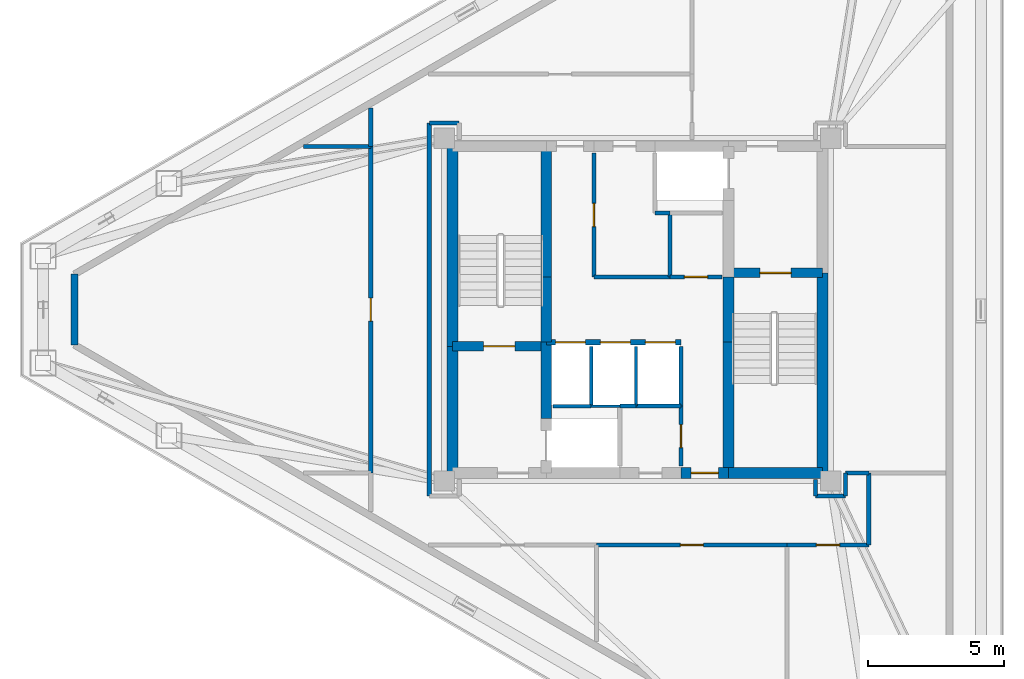
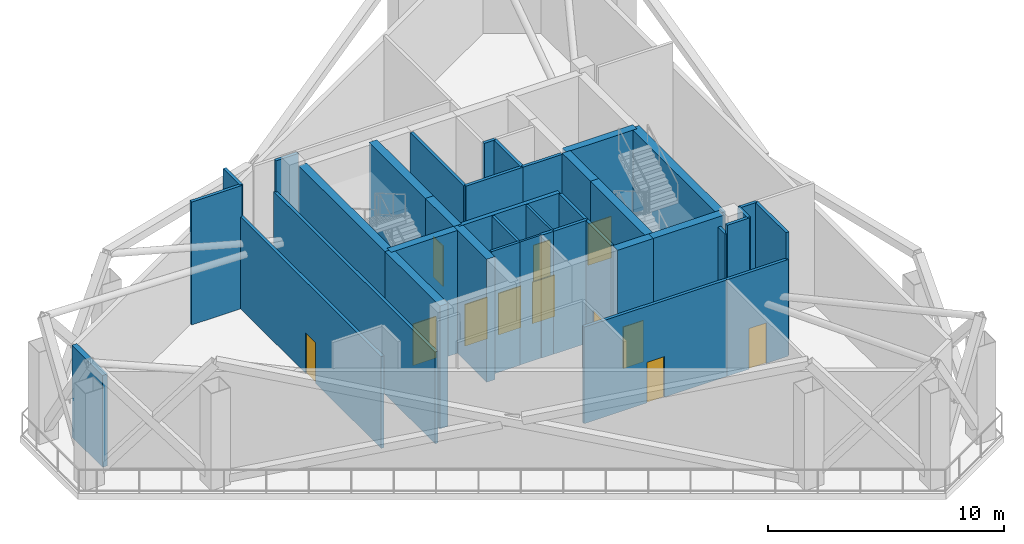
# One storey, part 3 of 6: 39 walls, 12 doors, 12 openings.
"""IFC4 building model written with IfcOpenShell, lengths in metres."""

import ifcopenshell
import ifcopenshell.guid

model = None  # the IFC model being written
_history = None  # IfcOwnerHistory: only IFC2X3 demands one
_inside = {}  # id of a spatial element -> (the spatial element, [elements in it])
_under = {}  # id of a project, library or spatial element -> (it, [spatial elements below it])
_declared = {}  # id of a project -> (the project, [libraries it declares])
_typed = {}  # id of a type object -> (the type object, [elements of that type])
_made_of = {}  # id of a material, layer set ... -> (it, [elements and type objects made of it])


def new_model(schema):
    """Start an empty IFC model of exactly this schema.

    Asked for "IFC4X3", IfcOpenShell would pick the latest addendum, in which some entities
    have other attributes; the version numbers below select the first issue.
    IFC2X3 requires an IfcOwnerHistory on every rooted entity: one is made here for all.
    """
    global model, _history
    if schema == "IFC4X3":
        model = ifcopenshell.file(schema_version=(4, 3, 0, 0))
    else:
        model = ifcopenshell.file(schema=schema)
    _inside.clear()
    _under.clear()
    _declared.clear()
    _typed.clear()
    _made_of.clear()
    _history = None
    if model.schema == "IFC2X3":
        org = make("IfcOrganization", Name="unknown")
        user = make(
            "IfcPersonAndOrganization",
            ThePerson=make("IfcPerson", FamilyName="unknown"),
            TheOrganization=org,
        )
        app = make(
            "IfcApplication",
            ApplicationDeveloper=org,
            Version="unknown",
            ApplicationFullName="unknown",
            ApplicationIdentifier="unknown",
        )
        _history = make(
            "IfcOwnerHistory",
            OwningUser=user,
            OwningApplication=app,
            ChangeAction="ADDED",
            CreationDate=0,
        )
    return model


def make(cls, **values):
    """One entity of the class cls with the attributes given. An attribute that is None is left unset."""
    return model.create_entity(
        cls, **{name: value for name, value in values.items() if value is not None}
    )


def rooted(cls, **values):
    """An entity with a GlobalId (a new one), such as an element, a storey or a relation."""
    return make(cls, GlobalId=ifcopenshell.guid.new(), OwnerHistory=_history, **values)


def si_unit(unit_type, name, prefix=None):
    """IfcSIUnit, for example si_unit("LENGTHUNIT", "METRE", prefix="MILLI")."""
    return make("IfcSIUnit", UnitType=unit_type, Prefix=prefix, Name=name)


def assignment(units):
    """IfcUnitAssignment: the units of a project."""
    return None if units is None else make("IfcUnitAssignment", Units=units)


def point(xyz):
    """IfcCartesianPoint."""
    return None if xyz is None else make("IfcCartesianPoint", Coordinates=xyz)


def direction(xyz):
    """IfcDirection."""
    return None if xyz is None else make("IfcDirection", DirectionRatios=xyz)


def frame(location, z_axis=None, x_axis=None):
    """IfcAxis2Placement3D, a coordinate frame: its origin and axes. An axis left out is left unset."""
    return make(
        "IfcAxis2Placement3D",
        Location=point(location),
        Axis=direction(z_axis),
        RefDirection=direction(x_axis),
    )


def frame_2d(location, x_axis=None):
    """IfcAxis2Placement2D, a coordinate frame in the plane: its origin and x axis."""
    return make(
        "IfcAxis2Placement2D", Location=point(location), RefDirection=direction(x_axis)
    )


def origin():
    """The frame at (0, 0, 0) with its axes left unset."""
    return frame((0.0, 0.0, 0.0))


def place(relative_to, where):
    """IfcLocalPlacement: puts the frame where relative to a parent placement (None: the world)."""
    return make(
        "IfcLocalPlacement", PlacementRelTo=relative_to, RelativePlacement=where
    )


def context(
    kind, dimensions, precision=None, world=None, true_north=None, identifier=None
):
    """IfcGeometricRepresentationContext, for example the 3D "Model" context."""
    return make(
        "IfcGeometricRepresentationContext",
        ContextIdentifier=identifier,
        ContextType=kind,
        CoordinateSpaceDimension=dimensions,
        Precision=precision,
        WorldCoordinateSystem=world,
        TrueNorth=true_north,
    )


def subcontext(parent, identifier, kind, view, scale=None):
    """IfcGeometricRepresentationSubContext, for example "Body" below "Model"."""
    return make(
        "IfcGeometricRepresentationSubContext",
        ContextIdentifier=identifier,
        ContextType=kind,
        ParentContext=parent,
        TargetScale=scale,
        TargetView=view,
    )


def project(units=None, contexts=None):
    """IfcProject with its units and contexts."""
    return rooted(
        "IfcProject",
        Name="project",
        RepresentationContexts=contexts,
        UnitsInContext=assignment(units),
    )


def spatial(cls, under=None, at=None, **own):
    """A site, building, storey or space (cls), placed at a placement, below another one or the project."""
    s = rooted(cls, ObjectPlacement=at, **own)
    if under is not None:
        _under.setdefault(under.id(), (under, []))[1].append(s)
    return s


def profile(cls, at=None, kind="AREA", **sizes):
    """A parametric profile (cls). Its sizes go by their IFC names, for example OverallWidth=200.0."""
    return make(cls, ProfileType=kind, Position=at, **sizes)


def rectangle(**sizes):
    """IfcRectangleProfileDef."""
    return profile("IfcRectangleProfileDef", **sizes)


def extrude(swept, where, along, depth):
    """IfcExtrudedAreaSolid: the profile swept, set in the frame where, extruded along a direction by depth."""
    return make(
        "IfcExtrudedAreaSolid",
        SweptArea=swept,
        Position=where,
        ExtrudedDirection=direction(along),
        Depth=depth,
    )


def shape(context_of_items, identifier, shape_type, items):
    """IfcShapeRepresentation: the items that make up one representation, for example the "Body"."""
    return make(
        "IfcShapeRepresentation",
        ContextOfItems=context_of_items,
        RepresentationIdentifier=identifier,
        RepresentationType=shape_type,
        Items=items,
    )


def material(Name=None, Category=None):
    """IfcMaterial."""
    return make("IfcMaterial", Name=Name, Category=Category)


def layer(
    of_material, thickness, ventilated=None, Name=None, Category=None, Priority=None
):
    """IfcMaterialLayer: one layer of a wall or slab, of a material (None: an air gap)."""
    return make(
        "IfcMaterialLayer",
        Material=of_material,
        LayerThickness=thickness,
        IsVentilated=ventilated,
        Name=Name,
        Category=Category,
        Priority=Priority,
    )


def layer_set(layers, Name=None):
    """IfcMaterialLayerSet."""
    return make("IfcMaterialLayerSet", MaterialLayers=layers, LayerSetName=Name)


def made_of(thing, what):
    """Note that an element or type object is made of a material, layer set ...; save() writes the relation."""
    if what is not None:
        _made_of.setdefault(what.id(), (what, []))[1].append(thing)
    return thing


def type_object(cls, material=None, **own):
    """A type object (cls), such as IfcWallType, which elements share."""
    return made_of(rooted(cls, **own), material)


def element(
    cls,
    number,
    at=None,
    inside=None,
    cuts=None,
    type_object=None,
    material=None,
    context=None,
    identifier="Body",
    shape_type=None,
    held_by="IfcProductDefinitionShape",
    body=None,
    shapes=None,
    **own,
):
    """One element of the class cls, such as IfcWall. Its Tag is "e" and its number.

    at: its placement. inside: the storey or other place that contains it. cuts: it is an
    opening in that element (IfcRelVoidsElement). A single representation is given by context,
    identifier, shape_type and body (its items); several are given by shapes. held_by: the class
    of the entity that holds the representations. save() writes the other relations.
    """
    e = rooted(cls, Tag="e%d" % number, ObjectPlacement=at, **own)
    if body is not None:
        shapes = [shape(context, identifier, shape_type, body)]
    if shapes is not None:
        e.Representation = make(held_by, Representations=shapes)
    if inside is not None:
        _inside.setdefault(inside.id(), (inside, []))[1].append(e)
    if cuts is not None:
        rooted(
            "IfcRelVoidsElement", RelatingBuildingElement=cuts, RelatedOpeningElement=e
        )
    if type_object is not None:
        _typed.setdefault(type_object.id(), (type_object, []))[1].append(e)
    return made_of(e, material)


def fill(opening, filler):
    """IfcRelFillsElement: the door or window that sits in an opening."""
    return rooted(
        "IfcRelFillsElement",
        RelatingOpeningElement=opening,
        RelatedBuildingElement=filler,
    )


def aggregate(whole, parts):
    """IfcRelAggregates: a whole, such as a stair, and the parts it consists of."""
    return rooted("IfcRelAggregates", RelatingObject=whole, RelatedObjects=parts)


def save(model, path):
    """Write the relations noted so far, then the file.

    IfcRelAggregates (storeys below a building ...), IfcRelContainedInSpatialStructure (elements
    in a storey), IfcRelDefinesByType, IfcRelAssociatesMaterial and IfcRelDeclares: one each for
    every whole, place, type object, material and project.
    """
    for whole, parts in _under.values():
        aggregate(whole, parts)
    for where, things in _inside.values():
        rooted(
            "IfcRelContainedInSpatialStructure",
            RelatedElements=things,
            RelatingStructure=where,
        )
    for kind, things in _typed.values():
        rooted("IfcRelDefinesByType", RelatedObjects=things, RelatingType=kind)
    for what, things in _made_of.values():
        rooted("IfcRelAssociatesMaterial", RelatedObjects=things, RelatingMaterial=what)
    for by, libraries in _declared.values():
        rooted("IfcRelDeclares", RelatingContext=by, RelatedDefinitions=libraries)
    model.write(path)


model = new_model("IFC4")

# Units and contexts
model_context = context("Model", 3, precision=1e-05, world=origin(), true_north=direction((0.0, 1.0)))
body_context = subcontext(model_context, "Body", "Model", "MODEL_VIEW")
ifc_project = project(units=[si_unit("LENGTHUNIT", "METRE"), si_unit("AREAUNIT", "SQUARE_METRE"), si_unit("VOLUMEUNIT", "CUBIC_METRE"), si_unit("PLANEANGLEUNIT", "RADIAN"), si_unit("MASSUNIT", "GRAM", prefix="KILO")], contexts=[model_context])

# Site, building, storey
site_placement = place(None, origin())
site = spatial("IfcSite", under=ifc_project, at=site_placement, CompositionType="ELEMENT")
building_placement = place(site_placement, origin())
building = spatial("IfcBuilding", under=site, at=building_placement, Name="Mersakhor Tower and Convention Hall", CompositionType="ELEMENT")
storey_placement = place(building_placement, frame((0.0, 0.0, 160.800048828125)))
storey = spatial("IfcBuildingStorey", under=building, at=storey_placement, Name="L45", CompositionType="ELEMENT", Elevation=160.800048828125)

# Walls
ifc_material_1 = material(Name="Precast concrete C40/50", Category="concrete")
ifc_layer_1 = layer(ifc_material_1, 0.25)
ifc_layer_set_1 = layer_set([ifc_layer_1], Name="Precast concrete C40/50")
wall_type_1 = type_object("IfcWallType", Name="WL-EXT-250", PredefinedType="SOLIDWALL", material=ifc_layer_set_1)
wall_1_placement = place(storey_placement, frame((8.310302734375, 25.45166015625, 0.0), z_axis=(0.0, 0.0, 1.0), x_axis=(0.0, 1.0, 0.0)))
element("IfcWall", 1, at=wall_1_placement, inside=storey, type_object=wall_type_1, Name="L45 Set-Back Refuge and Plant Enclosure Wall 6", PredefinedType="SOLIDWALL", context=body_context, shape_type="SweptSolid", body=[
    extrude(rectangle(XDim=2.5966796875, YDim=0.25, at=frame_2d((1.29833984375, 0.0))), origin(), (0.0, 0.0, 1.0), 4.7548828125),
])
ifc_material_2 = material(Name="Lightweight gypsum partition", Category="other")
ifc_layer_2 = layer(ifc_material_2, 0.10009765625)
ifc_layer_set_2 = layer_set([ifc_layer_2], Name="Lightweight gypsum partition")
wall_type_2 = type_object("IfcWallType", Name="WL-PRT-100", PredefinedType="PARTITIONING", material=ifc_layer_set_2)
wall_2_placement = place(storey_placement, frame((27.300048828125, 23.199951171875, 0.0), z_axis=(0.0, 0.0, 1.0), x_axis=(1.0, 0.0, 0.0)))
element("IfcWall", 2, at=wall_2_placement, inside=storey, type_object=wall_type_2, Name="L45 Interior Partition Wall P-002", PredefinedType="PARTITIONING", context=body_context, shape_type="SweptSolid", body=[
    extrude(rectangle(XDim=1.050048828125, YDim=0.10009765625, at=frame_2d((0.52490234375, 0.0))), origin(), (0.0, 0.0, 1.0), 6.369873046875),
])
wall_3_placement = place(storey_placement, frame((28.949951171875, 25.39990234375, 0.0), z_axis=(0.0, 0.0, 1.0), x_axis=(0.0, -1.0, 0.0)))
element("IfcWall", 3, at=wall_3_placement, inside=storey, type_object=wall_type_2, Name="L45 Interior Partition Wall P-008", PredefinedType="PARTITIONING", context=body_context, shape_type="SweptSolid", body=[
    extrude(rectangle(XDim=2.199951171875, YDim=0.10009765625, at=frame_2d((1.10009765625, 0.0))), origin(), (0.0, 0.0, 1.0), 6.369873046875),
])
ifc_material_3 = material(Name="Gypsum board acoustic partition", Category="other")
ifc_layer_3 = layer(ifc_material_3, 0.125)
ifc_layer_set_3 = layer_set([ifc_layer_3], Name="Gypsum board acoustic partition")
wall_type_3 = type_object("IfcWallType", Name="WL-PRT-125", PredefinedType="PARTITIONING", material=ifc_layer_set_3)
wall_4_placement = place(storey_placement, frame((25.89990234375, 23.199951171875, 0.0), z_axis=(0.0, 0.0, 1.0), x_axis=(1.0, 0.0, 0.0)))
element("IfcWall", 4, at=wall_4_placement, inside=storey, type_object=wall_type_3, Name="L45 Interior Partition Wall P-001", PredefinedType="PARTITIONING", context=body_context, shape_type="SweptSolid", body=[
    extrude(rectangle(XDim=1.400146484375, YDim=0.125, at=frame_2d((0.7001953125, 0.0))), origin(), (0.0, 0.0, 1.0), 6.369873046875),
])
wall_5_placement = place(storey_placement, frame((27.300048828125, 25.39990234375, 0.0), z_axis=(0.0, 0.0, 1.0), x_axis=(0.0, -1.0, 0.0)))
element("IfcWall", 5, at=wall_5_placement, inside=storey, type_object=wall_type_3, Name="L45 Interior Partition Wall P-007", PredefinedType="PARTITIONING", context=body_context, shape_type="SweptSolid", body=[
    extrude(rectangle(XDim=2.199951171875, YDim=0.125, at=frame_2d((1.10009765625, 0.0))), origin(), (0.0, 0.0, 1.0), 6.369873046875),
])
ifc_material_4 = material(Name="Fire-rated gypsum board stud partition", Category="other")
ifc_layer_4 = layer(ifc_material_4, 0.14990234375)
ifc_layer_set_4 = layer_set([ifc_layer_4], Name="Fire-rated gypsum board stud partition")
wall_type_4 = type_object("IfcWallType", Name="WL-PRT-150", PredefinedType="PARTITIONING", material=ifc_layer_set_4)
wall_6_placement = place(storey_placement, frame((30.199951171875, 30.300048828125, 0.0), z_axis=(0.0, 0.0, 1.0), x_axis=(-1.0, 0.0, 0.0)))
element("IfcWall", 6, at=wall_6_placement, inside=storey, type_object=wall_type_4, Name="L45 Interior Partition Wall P-005", PredefinedType="PARTITIONING", context=body_context, shape_type="SweptSolid", body=[
    extrude(rectangle(XDim=0.550048828125, YDim=0.14990234375, at=frame_2d((0.27490234375, 0.0))), origin(), (0.0, 0.0, 1.0), 6.369873046875),
])
wall_7_placement = place(storey_placement, frame((28.949951171875, 23.199951171875, 0.0), z_axis=(0.0, 0.0, 1.0), x_axis=(-1.0, 0.0, 0.0)))
element("IfcWall", 7, at=wall_7_placement, inside=storey, type_object=wall_type_4, Name="L45 Interior Partition Wall P-009", PredefinedType="PARTITIONING", context=body_context, shape_type="SweptSolid", body=[
    extrude(rectangle(XDim=0.599853515625, YDim=0.14990234375, at=frame_2d((0.2998046875, 0.0))), origin(), (0.0, 0.0, 1.0), 6.369873046875),
])
wall_8_placement = place(storey_placement, frame((30.60009765625, 25.39990234375, 0.0), z_axis=(0.0, 0.0, 1.0), x_axis=(0.0, -1.0, 0.0)))
element("IfcWall", 8, at=wall_8_placement, inside=storey, type_object=wall_type_4, Name="L45 Interior Partition Wall P-010", PredefinedType="PARTITIONING", context=body_context, shape_type="SweptSolid", body=[
    extrude(rectangle(XDim=2.199951171875, YDim=0.14990234375, at=frame_2d((1.10009765625, 0.0))), origin(), (0.0, 0.0, 1.0), 6.369873046875),
])
wall_9_placement = place(storey_placement, frame((30.60009765625, 23.199951171875, 0.0), z_axis=(0.0, 0.0, 1.0), x_axis=(-1.0, 0.0, 0.0)))
element("IfcWall", 9, at=wall_9_placement, inside=storey, type_object=wall_type_4, Name="L45 Interior Partition Wall P-011", PredefinedType="PARTITIONING", context=body_context, shape_type="SweptSolid", body=[
    extrude(rectangle(XDim=1.650146484375, YDim=0.14990234375, at=frame_2d((0.8251953125, 0.0))), origin(), (0.0, 0.0, 1.0), 6.369873046875),
])

# Wall, opening, door
wall_10_placement = place(storey_placement, frame((30.60009765625, 21.0, 0.0), z_axis=(0.0, 0.0, 1.0), x_axis=(0.0, 1.0, 0.0)))
wall_10 = element("IfcWall", 10, at=wall_10_placement, inside=storey, type_object=wall_type_4, Name="L45 Interior Partition Wall P-012", PredefinedType="PARTITIONING", context=body_context, shape_type="SweptSolid", body=[
    extrude(rectangle(XDim=2.199951171875, YDim=0.14990234375, at=frame_2d((1.10009765625, 0.0))), origin(), (0.0, 0.0, 1.0), 6.369873046875),
])
opening_1_placement = place(wall_10_placement, frame((0.675048828125, 0.0, 0.0)))
opening_1 = element("IfcOpeningElement", 11, at=opening_1_placement, cuts=wall_10, Name="Opening SVD-01", PredefinedType="OPENING", context=body_context, shape_type="SweptSolid", body=[
    extrude(rectangle(XDim=0.85009765625, YDim=2.10009765625, at=frame_2d((0.425048828125, 1.050048828125))), frame((0.0, 0.0849609375, 0.0), z_axis=(0.0, -1.0, 0.0), x_axis=(1.0, 0.0, 0.0)), (0.0, 0.0, 1.0), 0.169921875),
])
ifc_material_5 = material(Name="Fire-rated hardwood leaf and painted steel frame", Category="steel")
door_type_1 = type_object("IfcDoorType", Name="DR-INT-SVC-085x210", OperationType="NOTDEFINED", PredefinedType="DOOR", material=ifc_material_5)
door_1_placement = place(opening_1_placement, origin())
door_1 = element("IfcDoor", 12, at=door_1_placement, inside=storey, type_object=door_type_1, Name="L45 Central Passenger Lift Lobby to Core Electrical Distribution Plant Room Door", OperationType="SINGLE_SWING_LEFT", OverallHeight=2.10009765625, OverallWidth=0.85009765625, PredefinedType="DOOR", context=body_context, shape_type="SweptSolid", body=[
    extrude(rectangle(XDim=0.85009765625, YDim=2.10009765625, at=frame_2d((0.425048828125, 1.050048828125))), frame((0.0, 0.02490234375, 0.0), z_axis=(0.0, -1.0, 0.0), x_axis=(1.0, 0.0, 0.0)), (0.0, 0.0, 1.0), 0.050048828125),
])
fill(opening_1, door_1)

wall_11_placement = place(storey_placement, frame((27.39990234375, 32.5, 0.0), z_axis=(0.0, 0.0, 1.0), x_axis=(0.0, -1.0, 0.0)))
wall_11 = element("IfcWall", 13, at=wall_11_placement, inside=storey, type_object=wall_type_4, Name="L45 Interior Partition Wall P-013", PredefinedType="PARTITIONING", context=body_context, shape_type="SweptSolid", body=[
    extrude(rectangle(XDim=4.550048828125, YDim=0.14990234375, at=frame_2d((2.27490234375, 0.0))), origin(), (0.0, 0.0, 1.0), 6.369873046875),
])
opening_2_placement = place(wall_11_placement, frame((1.85009765625, 0.0, 0.0)))
opening_2 = element("IfcOpeningElement", 14, at=opening_2_placement, cuts=wall_11, Name="Opening SVD-01", PredefinedType="OPENING", context=body_context, shape_type="SweptSolid", body=[
    extrude(rectangle(XDim=0.85009765625, YDim=2.10009765625, at=frame_2d((0.425048828125, 1.050048828125))), frame((0.0, 0.0849609375, 0.0), z_axis=(0.0, -1.0, 0.0), x_axis=(1.0, 0.0, 0.0)), (0.0, 0.0, 1.0), 0.169921875),
])
door_2_placement = place(opening_2_placement, origin())
door_2 = element("IfcDoor", 15, at=door_2_placement, inside=storey, type_object=door_type_1, Name="L45 Central Passenger Lift Lobby to Core Pressurisation Fan Plant Room Door", OperationType="SINGLE_SWING_LEFT", OverallHeight=2.10009765625, OverallWidth=0.85009765625, PredefinedType="DOOR", context=body_context, shape_type="SweptSolid", body=[
    extrude(rectangle(XDim=0.85009765625, YDim=2.10009765625, at=frame_2d((0.425048828125, 1.050048828125))), frame((0.0, 0.02490234375, 0.0), z_axis=(0.0, -1.0, 0.0), x_axis=(1.0, 0.0, 0.0)), (0.0, 0.0, 1.0), 0.050048828125),
])
fill(opening_2, door_2)

# Wall
wall_12_placement = place(storey_placement, frame((27.39990234375, 27.949951171875, 0.0), z_axis=(0.0, 0.0, 1.0), x_axis=(1.0, 0.0, 0.0)))
element("IfcWall", 16, at=wall_12_placement, inside=storey, type_object=wall_type_4, Name="L45 Interior Partition Wall P-014", PredefinedType="PARTITIONING", context=body_context, shape_type="SweptSolid", body=[
    extrude(rectangle(XDim=2.800048828125, YDim=0.14990234375, at=frame_2d((1.39990234375, 0.0))), origin(), (0.0, 0.0, 1.0), 6.369873046875),
])

# Wall, opening, door
wall_13_placement = place(storey_placement, frame((30.199951171875, 27.949951171875, 0.0), z_axis=(0.0, 0.0, 1.0), x_axis=(1.0, 0.0, 0.0)))
wall_13 = element("IfcWall", 17, at=wall_13_placement, inside=storey, type_object=wall_type_4, Name="L45 Interior Partition Wall P-015", PredefinedType="PARTITIONING", context=body_context, shape_type="SweptSolid", body=[
    extrude(rectangle(XDim=1.900146484375, YDim=0.14990234375, at=frame_2d((0.9501953125, 0.0))), origin(), (0.0, 0.0, 1.0), 6.369873046875),
])
opening_3_placement = place(wall_13_placement, frame((0.52490234375, 0.0, 0.0)))
opening_3 = element("IfcOpeningElement", 18, at=opening_3_placement, cuts=wall_13, Name="Opening SVD-01", PredefinedType="OPENING", context=body_context, shape_type="SweptSolid", body=[
    extrude(rectangle(XDim=0.85009765625, YDim=2.10009765625, at=frame_2d((0.425048828125, 1.050048828125))), frame((0.0, 0.0849609375, 0.0), z_axis=(0.0, -1.0, 0.0), x_axis=(1.0, 0.0, 0.0)), (0.0, 0.0, 1.0), 0.169921875),
])
door_3_placement = place(opening_3_placement, origin())
door_3 = element("IfcDoor", 19, at=door_3_placement, inside=storey, type_object=door_type_1, Name="L45 Central Passenger Lift Lobby to Core Fire Alarm and BMS Plant Room Door", OperationType="SINGLE_SWING_RIGHT", OverallHeight=2.10009765625, OverallWidth=0.85009765625, PredefinedType="DOOR", context=body_context, shape_type="SweptSolid", body=[
    extrude(rectangle(XDim=0.85009765625, YDim=2.10009765625, at=frame_2d((0.425048828125, 1.050048828125))), frame((0.0, 0.02490234375, 0.0), z_axis=(0.0, -1.0, 0.0), x_axis=(1.0, 0.0, 0.0)), (0.0, 0.0, 1.0), 0.050048828125),
])
fill(opening_3, door_3)

# Walls
wall_14_placement = place(storey_placement, frame((22.449951171875, 33.60009765625, 0.0), z_axis=(0.0, 0.0, 1.0), x_axis=(-1.0, 0.0, 0.0)))
element("IfcWall", 20, at=wall_14_placement, inside=storey, type_object=wall_type_4, Name="L45 Interior Partition Wall P-019", PredefinedType="PARTITIONING", context=body_context, shape_type="SweptSolid", body=[
    extrude(rectangle(XDim=1.099853515625, YDim=0.14990234375, at=frame_2d((0.5498046875, 0.0))), origin(), (0.0, 0.0, 1.0), 6.369873046875),
])
wall_15_placement = place(storey_placement, frame((21.35009765625, 33.60009765625, 0.0), z_axis=(0.0, 0.0, 1.0), x_axis=(0.0, -1.0, 0.0)))
element("IfcWall", 21, at=wall_15_placement, inside=storey, type_object=wall_type_4, Name="L45 Interior Partition Wall P-020", PredefinedType="PARTITIONING", context=body_context, shape_type="SweptSolid", body=[
    extrude(rectangle(XDim=13.7001953125, YDim=0.14990234375, at=frame_2d((6.85009765625, 0.0))), origin(), (0.0, 0.0, 1.0), 4.7548828125),
])
wall_16_placement = place(storey_placement, frame((35.550048828125, 20.5, 0.0), z_axis=(0.0, 0.0, 1.0), x_axis=(0.0, -1.0, 0.0)))
element("IfcWall", 22, at=wall_16_placement, inside=storey, type_object=wall_type_4, Name="L45 Interior Partition Wall P-023", PredefinedType="PARTITIONING", context=body_context, shape_type="SweptSolid", body=[
    extrude(rectangle(XDim=0.60009765625, YDim=0.14990234375, at=frame_2d((0.300048828125, 0.0))), origin(), (0.0, 0.0, 1.0), 5.89501953125),
])
wall_17_placement = place(storey_placement, frame((35.550048828125, 19.89990234375, 0.0), z_axis=(0.0, 0.0, 1.0), x_axis=(1.0, 0.0, 0.0)))
element("IfcWall", 23, at=wall_17_placement, inside=storey, type_object=wall_type_4, Name="L45 Interior Partition Wall P-024", PredefinedType="PARTITIONING", context=body_context, shape_type="SweptSolid", body=[
    extrude(rectangle(XDim=1.099853515625, YDim=0.14990234375, at=frame_2d((0.5498046875, 0.0))), origin(), (0.0, 0.0, 1.0), 6.369873046875),
])
for number, where, z_axis, x_axis, name in (
    (24, (36.64990234375, 19.89990234375, 0.0), (0.0, 0.0, 1.0), (0.0, 1.0, 0.0), "L45 Interior Partition Wall P-025"),
    (25, (36.64990234375, 20.75, 0.0), (0.0, 0.0, 1.0), (1.0, 0.0, 0.0), "L45 Interior Partition Wall P-026"),
):
    element("IfcWall", number, at=place(storey_placement, frame(where, z_axis=z_axis, x_axis=x_axis)), inside=storey, type_object=wall_type_4, Name=name, PredefinedType="PARTITIONING", context=body_context, shape_type="SweptSolid", body=[
        extrude(rectangle(XDim=0.85009765625, YDim=0.14990234375, at=frame_2d((0.425048828125, 0.0))), origin(), (0.0, 0.0, 1.0), 6.369873046875),
    ])
wall_18_placement = place(storey_placement, frame((37.5, 20.75, 0.0), z_axis=(0.0, 0.0, 1.0), x_axis=(0.0, -1.0, 0.0)))
element("IfcWall", 26, at=wall_18_placement, inside=storey, type_object=wall_type_4, Name="L45 Interior Partition Wall P-027", PredefinedType="PARTITIONING", context=body_context, shape_type="SweptSolid", body=[
    extrude(rectangle(XDim=2.64990234375, YDim=0.14990234375, at=frame_2d((1.324951171875, 0.0))), origin(), (0.0, 0.0, 1.0), 6.369873046875),
])

# Wall, opening, door
wall_19_placement = place(storey_placement, frame((37.5, 18.10009765625, 0.0), z_axis=(0.0, 0.0, 1.0), x_axis=(-1.0, 0.0, 0.0)))
wall_19 = element("IfcWall", 27, at=wall_19_placement, inside=storey, type_object=wall_type_4, Name="L45 Interior Partition Wall P-028", PredefinedType="PARTITIONING", context=body_context, shape_type="SweptSolid", body=[
    extrude(rectangle(XDim=3.0, YDim=0.14990234375, at=frame_2d((1.5, 0.0))), origin(), (0.0, 0.0, 1.0), 5.0048828125),
])
opening_4_placement = place(wall_19_placement, frame((1.074951171875, 0.0, 0.0)))
opening_4 = element("IfcOpeningElement", 28, at=opening_4_placement, cuts=wall_19, Name="Opening SVD-01", PredefinedType="OPENING", context=body_context, shape_type="SweptSolid", body=[
    extrude(rectangle(XDim=0.85009765625, YDim=2.10009765625, at=frame_2d((0.425048828125, 1.050048828125))), frame((0.0, 0.0849609375, 0.0), z_axis=(0.0, -1.0, 0.0), x_axis=(1.0, 0.0, 0.0)), (0.0, 0.0, 1.0), 0.169921875),
])
door_4_placement = place(opening_4_placement, origin())
door_4 = element("IfcDoor", 29, at=door_4_placement, inside=storey, type_object=door_type_1, Name="L45 L45 Mechanical Plant and Refuge Corridor to Domestic and Fire Booster Pump Plant Room Door", OperationType="SINGLE_SWING_LEFT", OverallHeight=2.10009765625, OverallWidth=0.85009765625, PredefinedType="DOOR", context=body_context, shape_type="SweptSolid", body=[
    extrude(rectangle(XDim=0.85009765625, YDim=2.10009765625, at=frame_2d((0.425048828125, 1.050048828125))), frame((0.0, 0.02490234375, 0.0), z_axis=(0.0, -1.0, 0.0), x_axis=(1.0, 0.0, 0.0)), (0.0, 0.0, 1.0), 0.050048828125),
])
fill(opening_4, door_4)

wall_20_placement = place(storey_placement, frame((34.5, 18.10009765625, 0.0), z_axis=(0.0, 0.0, 1.0), x_axis=(-1.0, 0.0, 0.0)))
wall_20 = element("IfcWall", 30, at=wall_20_placement, inside=storey, type_object=wall_type_4, Name="L45 Interior Partition Wall P-029", PredefinedType="PARTITIONING", context=body_context, shape_type="SweptSolid", body=[
    extrude(rectangle(XDim=7.0, YDim=0.14990234375, at=frame_2d((3.5, 0.0))), origin(), (0.0, 0.0, 1.0), 5.0048828125),
])
opening_5_placement = place(wall_20_placement, frame((3.074951171875, 0.0, 0.0)))
opening_5 = element("IfcOpeningElement", 31, at=opening_5_placement, cuts=wall_20, Name="Opening SVD-01", PredefinedType="OPENING", context=body_context, shape_type="SweptSolid", body=[
    extrude(rectangle(XDim=0.85009765625, YDim=2.10009765625, at=frame_2d((0.425048828125, 1.050048828125))), frame((0.0, 0.0849609375, 0.0), z_axis=(0.0, -1.0, 0.0), x_axis=(1.0, 0.0, 0.0)), (0.0, 0.0, 1.0), 0.169921875),
])
door_5_placement = place(opening_5_placement, origin())
door_5 = element("IfcDoor", 32, at=door_5_placement, inside=storey, type_object=door_type_1, Name="L45 L45 Mechanical Plant and Refuge Corridor to Smoke Extract Fan Plant Room Door", OperationType="SINGLE_SWING_RIGHT", OverallHeight=2.10009765625, OverallWidth=0.85009765625, PredefinedType="DOOR", context=body_context, shape_type="SweptSolid", body=[
    extrude(rectangle(XDim=0.85009765625, YDim=2.10009765625, at=frame_2d((0.425048828125, 1.050048828125))), frame((0.0, 0.02490234375, 0.0), z_axis=(0.0, -1.0, 0.0), x_axis=(1.0, 0.0, 0.0)), (0.0, 0.0, 1.0), 0.050048828125),
])
fill(opening_5, door_5)

wall_21_placement = place(storey_placement, frame((19.199951171875, 20.75, 0.0), z_axis=(0.0, 0.0, 1.0), x_axis=(0.0, 1.0, 0.0)))
wall_21 = element("IfcWall", 33, at=wall_21_placement, inside=storey, type_object=wall_type_4, Name="L45 Interior Partition Wall P-032", PredefinedType="PARTITIONING", context=body_context, shape_type="SweptSolid", body=[
    extrude(rectangle(XDim=12.0, YDim=0.14990234375, at=frame_2d((6.0, 0.0))), origin(), (0.0, 0.0, 1.0), 4.7548828125),
])
opening_6_placement = place(wall_21_placement, frame((5.574951171875, 0.0, 0.0)))
opening_6 = element("IfcOpeningElement", 34, at=opening_6_placement, cuts=wall_21, Name="Opening SVD-01", PredefinedType="OPENING", context=body_context, shape_type="SweptSolid", body=[
    extrude(rectangle(XDim=0.85009765625, YDim=2.10009765625, at=frame_2d((0.425048828125, 1.050048828125))), frame((0.0, 0.0849609375, 0.0), z_axis=(0.0, -1.0, 0.0), x_axis=(1.0, 0.0, 0.0)), (0.0, 0.0, 1.0), 0.169921875),
])
door_6_placement = place(opening_6_placement, origin())
door_6 = element("IfcDoor", 35, at=door_6_placement, inside=storey, type_object=door_type_1, Name="L45 L45 Mechanical Plant and Refuge Corridor to Chilled Water Heat Exchanger Plant Room Door", OperationType="SINGLE_SWING_RIGHT", OverallHeight=2.10009765625, OverallWidth=0.85009765625, PredefinedType="DOOR", context=body_context, shape_type="SweptSolid", body=[
    extrude(rectangle(XDim=0.85009765625, YDim=2.10009765625, at=frame_2d((0.425048828125, 1.050048828125))), frame((0.0, 0.02490234375, 0.0), z_axis=(0.0, -1.0, 0.0), x_axis=(1.0, 0.0, 0.0)), (0.0, 0.0, 1.0), 0.050048828125),
])
fill(opening_6, door_6)

# Walls
wall_22_placement = place(storey_placement, frame((19.199951171875, 32.75, 0.0), z_axis=(0.0, 0.0, 1.0), x_axis=(0.0, 1.0, 0.0)))
element("IfcWall", 36, at=wall_22_placement, inside=storey, type_object=wall_type_4, Name="L45 Interior Partition Wall P-033", PredefinedType="PARTITIONING", context=body_context, shape_type="SweptSolid", body=[
    extrude(rectangle(XDim=1.413330078125, YDim=0.14990234375, at=frame_2d((0.70654296875, 0.0))), origin(), (0.0, 0.0, 1.0), 6.369873046875),
])
wall_23_placement = place(storey_placement, frame((30.199951171875, 30.300048828125, 0.0), z_axis=(0.0, 0.0, 1.0), x_axis=(0.0, -1.0, 0.0)))
element("IfcWall", 37, at=wall_23_placement, inside=storey, type_object=wall_type_4, Name="L45 Interior Partition Wall P-034", PredefinedType="PARTITIONING", context=body_context, shape_type="SweptSolid", body=[
    extrude(rectangle(XDim=2.35009765625, YDim=0.14990234375, at=frame_2d((1.175048828125, 0.0))), origin(), (0.0, 0.0, 1.0), 6.369873046875),
])
wall_24_placement = place(storey_placement, frame((16.724853515625, 32.75, 0.0), z_axis=(0.0, 0.0, 1.0), x_axis=(1.0, 0.0, 0.0)))
element("IfcWall", 38, at=wall_24_placement, inside=storey, type_object=wall_type_4, Name="L45 Interior Partition Wall P-040", PredefinedType="PARTITIONING", context=body_context, shape_type="SweptSolid", body=[
    extrude(rectangle(XDim=2.47509765625, YDim=0.14990234375, at=frame_2d((1.237548828125, 0.0))), origin(), (0.0, 0.0, 1.0), 6.369873046875),
])

# Wall, openings, doors
ifc_material_6 = material(Name="Acoustic concrete blockwork and gypsum board", Category="masonry")
ifc_layer_5 = layer(ifc_material_6, 0.199951171875)
ifc_layer_set_5 = layer_set([ifc_layer_5], Name="Acoustic concrete blockwork and gypsum board")
wall_type_5 = type_object("IfcWallType", Name="WL-PRT-200", PredefinedType="PARTITIONING", material=ifc_layer_set_5)
wall_25_placement = place(storey_placement, frame((25.64990234375, 25.550048828125, 0.0), z_axis=(0.0, 0.0, 1.0), x_axis=(1.0, 0.0, 0.0)))
wall_25 = element("IfcWall", 39, at=wall_25_placement, inside=storey, type_object=wall_type_5, Name="L45 High-Rise Lift Bank Front Wall", PredefinedType="PARTITIONING", context=body_context, shape_type="SweptSolid", body=[
    extrude(rectangle(XDim=4.9501953125, YDim=0.199951171875, at=frame_2d((2.47509765625, 0.0))), origin(), (0.0, 0.0, 1.0), 6.369873046875),
])
opening_7_placement = place(wall_25_placement, frame((0.340087890625, 0.0, 0.0)))
opening_7 = element("IfcOpeningElement", 40, at=opening_7_placement, cuts=wall_25, Name="Opening LD-P4", PredefinedType="OPENING", context=body_context, shape_type="SweptSolid", body=[
    extrude(rectangle(XDim=1.10009765625, YDim=2.14990234375, at=frame_2d((0.550048828125, 1.074951171875))), frame((0.0, 0.10986328125, 0.0), z_axis=(0.0, -1.0, 0.0), x_axis=(1.0, 0.0, 0.0)), (0.0, 0.0, 1.0), 0.219970703125),
])
opening_8_placement = place(wall_25_placement, frame((1.989990234375, 0.0, 0.0)))
opening_8 = element("IfcOpeningElement", 41, at=opening_8_placement, cuts=wall_25, Name="Opening LD-P5", PredefinedType="OPENING", context=body_context, shape_type="SweptSolid", body=[
    extrude(rectangle(XDim=1.10009765625, YDim=2.14990234375, at=frame_2d((0.550048828125, 1.074951171875))), frame((0.0, 0.10986328125, 0.0), z_axis=(0.0, -1.0, 0.0), x_axis=(1.0, 0.0, 0.0)), (0.0, 0.0, 1.0), 0.219970703125),
])
opening_9_placement = place(wall_25_placement, frame((3.639892578125, 0.0, 0.0)))
opening_9 = element("IfcOpeningElement", 42, at=opening_9_placement, cuts=wall_25, Name="Opening LD-P6", PredefinedType="OPENING", context=body_context, shape_type="SweptSolid", body=[
    extrude(rectangle(XDim=1.10009765625, YDim=2.14990234375, at=frame_2d((0.550048828125, 1.074951171875))), frame((0.0, 0.10986328125, 0.0), z_axis=(0.0, -1.0, 0.0), x_axis=(1.0, 0.0, 0.0)), (0.0, 0.0, 1.0), 0.219970703125),
])
ifc_material_7 = material(Name="Fire-rated brushed stainless steel sliding landing door", Category="steel")
door_type_2 = type_object("IfcDoorType", Name="DR-LIFT-SLD-110x215", OperationType="NOTDEFINED", PredefinedType="DOOR", material=ifc_material_7)
door_7_placement = place(opening_7_placement, origin())
door_7 = element("IfcDoor", 43, at=door_7_placement, inside=storey, type_object=door_type_2, Name="L45 Lift Landing Door LD-P4", OperationType="SLIDING_TO_LEFT", OverallHeight=2.14990234375, OverallWidth=1.10009765625, PredefinedType="DOOR", context=body_context, shape_type="SweptSolid", body=[
    extrude(rectangle(XDim=1.10009765625, YDim=2.14990234375, at=frame_2d((0.550048828125, 1.074951171875))), frame((0.0, 0.02490234375, 0.0), z_axis=(0.0, -1.0, 0.0), x_axis=(1.0, 0.0, 0.0)), (0.0, 0.0, 1.0), 0.050048828125),
])
fill(opening_7, door_7)
door_8_placement = place(opening_8_placement, origin())
door_8 = element("IfcDoor", 44, at=door_8_placement, inside=storey, type_object=door_type_2, Name="L45 Lift Landing Door LD-P5", OperationType="SLIDING_TO_LEFT", OverallHeight=2.14990234375, OverallWidth=1.10009765625, PredefinedType="DOOR", context=body_context, shape_type="SweptSolid", body=[
    extrude(rectangle(XDim=1.10009765625, YDim=2.14990234375, at=frame_2d((0.550048828125, 1.074951171875))), frame((0.0, 0.02490234375, 0.0), z_axis=(0.0, -1.0, 0.0), x_axis=(1.0, 0.0, 0.0)), (0.0, 0.0, 1.0), 0.050048828125),
])
fill(opening_8, door_8)
door_9_placement = place(opening_9_placement, origin())
door_9 = element("IfcDoor", 45, at=door_9_placement, inside=storey, type_object=door_type_2, Name="L45 Lift Landing Door LD-P6", OperationType="SLIDING_TO_LEFT", OverallHeight=2.14990234375, OverallWidth=1.10009765625, PredefinedType="DOOR", context=body_context, shape_type="SweptSolid", body=[
    extrude(rectangle(XDim=1.10009765625, YDim=2.14990234375, at=frame_2d((0.550048828125, 1.074951171875))), frame((0.0, 0.02490234375, 0.0), z_axis=(0.0, -1.0, 0.0), x_axis=(1.0, 0.0, 0.0)), (0.0, 0.0, 1.0), 0.050048828125),
])
fill(opening_9, door_9)

# Wall, opening, door
ifc_material_8 = material(Name="Concrete C50/60", Category="concrete")
ifc_layer_6 = layer(ifc_material_8, 0.35009765625)
ifc_layer_set_6 = layer_set([ifc_layer_6], Name="Concrete C50/60")
wall_type_6 = type_object("IfcWallType", Name="WL-SHR-350", PredefinedType="SHEAR", material=ifc_layer_set_6)
wall_26_placement = place(storey_placement, frame((22.199951171875, 25.39990234375, 0.0), z_axis=(0.0, 0.0, 1.0), x_axis=(1.0, 0.0, 0.0)))
wall_26 = element("IfcWall", 46, at=wall_26_placement, inside=storey, type_object=wall_type_6, Name="L45 Core Wall CS-ST1-S", PredefinedType="SHEAR", context=body_context, shape_type="SweptSolid", body=[
    extrude(rectangle(XDim=3.449951171875, YDim=0.35009765625, at=frame_2d((1.72509765625, 0.0))), origin(), (0.0, 0.0, 1.0), 6.369873046875),
])
opening_10_placement = place(wall_26_placement, frame((1.14990234375, 0.0, 0.0)))
opening_10 = element("IfcOpeningElement", 47, at=opening_10_placement, cuts=wall_26, Name="Opening SD-01", PredefinedType="OPENING", context=body_context, shape_type="SweptSolid", body=[
    extrude(rectangle(XDim=1.14990234375, YDim=2.14990234375, at=frame_2d((0.574951171875, 1.074951171875))), frame((0.0, 0.18505859375, 0.0), z_axis=(0.0, -1.0, 0.0), x_axis=(1.0, 0.0, 0.0)), (0.0, 0.0, 1.0), 0.3701171875),
])
ifc_material_9 = material(Name="Fire-rated hardwood leaf and painted steel frame", Category="steel")
door_type_3 = type_object("IfcDoorType", Name="DR-INT-STAIR-115x215", OperationType="NOTDEFINED", PredefinedType="DOOR", material=ifc_material_9)
door_10_placement = place(opening_10_placement, origin())
door_10 = element("IfcDoor", 48, at=door_10_placement, inside=storey, type_object=door_type_3, Name="L45 Exit Stair ST-1 Enclosure Door", OperationType="SINGLE_SWING_LEFT", OverallHeight=2.14990234375, OverallWidth=1.14990234375, PredefinedType="DOOR", context=body_context, shape_type="SweptSolid", body=[
    extrude(rectangle(XDim=1.14990234375, YDim=2.14990234375, at=frame_2d((0.574951171875, 1.074951171875))), frame((0.0, 0.02490234375, 0.0), z_axis=(0.0, -1.0, 0.0), x_axis=(1.0, 0.0, 0.0)), (0.0, 0.0, 1.0), 0.050048828125),
])
fill(opening_10, door_10)

wall_27_placement = place(storey_placement, frame((32.35009765625, 28.10009765625, 0.0), z_axis=(0.0, 0.0, 1.0), x_axis=(1.0, 0.0, 0.0)))
wall_27 = element("IfcWall", 49, at=wall_27_placement, inside=storey, type_object=wall_type_6, Name="L45 Core Wall CS-ST2-N", PredefinedType="SHEAR", context=body_context, shape_type="SweptSolid", body=[
    extrude(rectangle(XDim=3.449951171875, YDim=0.35009765625, at=frame_2d((1.72509765625, 0.0))), origin(), (0.0, 0.0, 1.0), 6.369873046875),
])
opening_11_placement = place(wall_27_placement, frame((1.14990234375, 0.0, 0.0)))
opening_11 = element("IfcOpeningElement", 50, at=opening_11_placement, cuts=wall_27, Name="Opening SD-01", PredefinedType="OPENING", context=body_context, shape_type="SweptSolid", body=[
    extrude(rectangle(XDim=1.14990234375, YDim=2.14990234375, at=frame_2d((0.574951171875, 1.074951171875))), frame((0.0, 0.18505859375, 0.0), z_axis=(0.0, -1.0, 0.0), x_axis=(1.0, 0.0, 0.0)), (0.0, 0.0, 1.0), 0.3701171875),
])
door_11_placement = place(opening_11_placement, origin())
door_11 = element("IfcDoor", 51, at=door_11_placement, inside=storey, type_object=door_type_3, Name="L45 Exit Stair ST-2 Enclosure Door", OperationType="SINGLE_SWING_RIGHT", OverallHeight=2.14990234375, OverallWidth=1.14990234375, PredefinedType="DOOR", context=body_context, shape_type="SweptSolid", body=[
    extrude(rectangle(XDim=1.14990234375, YDim=2.14990234375, at=frame_2d((0.574951171875, 1.074951171875))), frame((0.0, 0.02490234375, 0.0), z_axis=(0.0, -1.0, 0.0), x_axis=(1.0, 0.0, 0.0)), (0.0, 0.0, 1.0), 0.050048828125),
])
fill(opening_11, door_11)

# Walls
ifc_material_10 = material(Name="Concrete C60/75", Category="concrete")
ifc_layer_7 = layer(ifc_material_10, 0.39990234375)
ifc_layer_set_7 = layer_set([ifc_layer_7], Name="Concrete C60/75")
wall_type_7 = type_object("IfcWallType", Name="WL-SHR-400", PredefinedType="SHEAR", material=ifc_layer_set_7)
wall_28_placement = place(storey_placement, frame((22.199951171875, 20.75, 0.0), z_axis=(0.0, 0.0, 1.0), x_axis=(0.0, 1.0, 0.0)))
element("IfcWall", 52, at=wall_28_placement, inside=storey, type_object=wall_type_7, Name="L45 Core Wall CW-W1", PredefinedType="SHEAR", context=body_context, shape_type="SweptSolid", body=[
    extrude(rectangle(XDim=4.64990234375, YDim=0.39990234375, at=frame_2d((2.324951171875, 0.0))), origin(), (0.0, 0.0, 1.0), 6.369873046875),
])
for number, where, z_axis, x_axis, name in (
    (53, (22.199951171875, 25.39990234375, 0.0), (0.0, 0.0, 1.0), (0.0, 1.0, 0.0), "L45 Core Wall CW-W2"),
    (54, (35.800048828125, 28.10009765625, 0.0), (0.0, 0.0, 1.0), (0.0, -1.0, 0.0), "L45 Core Wall CW-E2"),
):
    element("IfcWall", number, at=place(storey_placement, frame(where, z_axis=z_axis, x_axis=x_axis)), inside=storey, type_object=wall_type_7, Name=name, PredefinedType="SHEAR", context=body_context, shape_type="SweptSolid", body=[
        extrude(rectangle(XDim=7.35009765625, YDim=0.39990234375, at=frame_2d((3.675048828125, 0.0))), origin(), (0.0, 0.0, 1.0), 6.369873046875),
    ])
wall_29_placement = place(storey_placement, frame((35.800048828125, 20.75, 0.0), z_axis=(0.0, 0.0, 1.0), x_axis=(-1.0, 0.0, 0.0)))
element("IfcWall", 55, at=wall_29_placement, inside=storey, type_object=wall_type_7, Name="L45 Core Wall CW-S1", PredefinedType="SHEAR", context=body_context, shape_type="SweptSolid", body=[
    extrude(rectangle(XDim=3.449951171875, YDim=0.39990234375, at=frame_2d((1.72509765625, 0.0))), origin(), (0.0, 0.0, 1.0), 6.369873046875),
])

# Wall, opening, door
wall_30_placement = place(storey_placement, frame((32.35009765625, 20.75, 0.0), z_axis=(0.0, 0.0, 1.0), x_axis=(-1.0, 0.0, 0.0)))
wall_30 = element("IfcWall", 56, at=wall_30_placement, inside=storey, type_object=wall_type_7, Name="L45 Core Wall CW-S2A", PredefinedType="SHEAR", context=body_context, shape_type="SweptSolid", body=[
    extrude(rectangle(XDim=1.75, YDim=0.39990234375, at=frame_2d((0.875, 0.0))), origin(), (0.0, 0.0, 1.0), 6.369873046875),
])
opening_12_placement = place(wall_30_placement, frame((0.375, 0.0, 0.0)))
opening_12 = element("IfcOpeningElement", 57, at=opening_12_placement, cuts=wall_30, Name="Opening CFD-01", PredefinedType="OPENING", context=body_context, shape_type="SweptSolid", body=[
    extrude(rectangle(XDim=1.0, YDim=2.14990234375, at=frame_2d((0.5, 1.074951171875))), frame((0.0, 0.2099609375, 0.0), z_axis=(0.0, -1.0, 0.0), x_axis=(1.0, 0.0, 0.0)), (0.0, 0.0, 1.0), 0.419921875),
])
ifc_material_11 = material(Name="Fire-rated hardwood leaf and painted steel frame", Category="steel")
door_type_4 = type_object("IfcDoorType", Name="DR-CORE-FD-100x215", OperationType="NOTDEFINED", PredefinedType="DOOR", material=ifc_material_11)
door_12_placement = place(opening_12_placement, origin())
door_12 = element("IfcDoor", 58, at=door_12_placement, inside=storey, type_object=door_type_4, Name="L45 Lift Lobby South Corridor Door", OperationType="SINGLE_SWING_RIGHT", OverallHeight=2.14990234375, OverallWidth=1.0, PredefinedType="DOOR", context=body_context, shape_type="SweptSolid", body=[
    extrude(rectangle(XDim=1.0, YDim=2.14990234375, at=frame_2d((0.5, 1.074951171875))), frame((0.0, 0.02490234375, 0.0), z_axis=(0.0, -1.0, 0.0), x_axis=(1.0, 0.0, 0.0)), (0.0, 0.0, 1.0), 0.050048828125),
])
fill(opening_12, door_12)

# Walls
wall_31_placement = place(storey_placement, frame((25.64990234375, 22.75, 0.0), z_axis=(0.0, 0.0, 1.0), x_axis=(0.0, 1.0, 0.0)))
element("IfcWall", 59, at=wall_31_placement, inside=storey, type_object=wall_type_7, Name="L45 Core Wall CS-W-MID", PredefinedType="SHEAR", context=body_context, shape_type="SweptSolid", body=[
    extrude(rectangle(XDim=2.800048828125, YDim=0.39990234375, at=frame_2d((1.39990234375, 0.0))), origin(), (0.0, 0.0, 1.0), 6.369873046875),
])
wall_32_placement = place(storey_placement, frame((25.64990234375, 25.550048828125, 0.0), z_axis=(0.0, 0.0, 1.0), x_axis=(0.0, 1.0, 0.0)))
element("IfcWall", 60, at=wall_32_placement, inside=storey, type_object=wall_type_7, Name="L45 Core Wall CS-W-LOB", PredefinedType="SHEAR", context=body_context, shape_type="SweptSolid", body=[
    extrude(rectangle(XDim=2.39990234375, YDim=0.39990234375, at=frame_2d((1.199951171875, 0.0))), origin(), (0.0, 0.0, 1.0), 6.369873046875),
])
for number, where, z_axis, x_axis, name in (
    (61, (25.64990234375, 27.949951171875, 0.0), (0.0, 0.0, 1.0), (0.0, 1.0, 0.0), "L45 Core Wall CS-W-ST1"),
    (62, (32.35009765625, 20.75, 0.0), (0.0, 0.0, 1.0), (0.0, 1.0, 0.0), "L45 Core Wall CS-E-ST2"),
):
    element("IfcWall", number, at=place(storey_placement, frame(where, z_axis=z_axis, x_axis=x_axis)), inside=storey, type_object=wall_type_7, Name=name, PredefinedType="SHEAR", context=body_context, shape_type="SweptSolid", body=[
        extrude(rectangle(XDim=4.800048828125, YDim=0.39990234375, at=frame_2d((2.39990234375, 0.0))), origin(), (0.0, 0.0, 1.0), 6.369873046875),
    ])
wall_33_placement = place(storey_placement, frame((32.35009765625, 25.550048828125, 0.0), z_axis=(0.0, 0.0, 1.0), x_axis=(0.0, 1.0, 0.0)))
element("IfcWall", 63, at=wall_33_placement, inside=storey, type_object=wall_type_7, Name="L45 Core Wall CS-E-LOB", PredefinedType="SHEAR", context=body_context, shape_type="SweptSolid", body=[
    extrude(rectangle(XDim=2.39990234375, YDim=0.39990234375, at=frame_2d((1.199951171875, 0.0))), origin(), (0.0, 0.0, 1.0), 6.369873046875),
])

save(model, "model.ifc")
